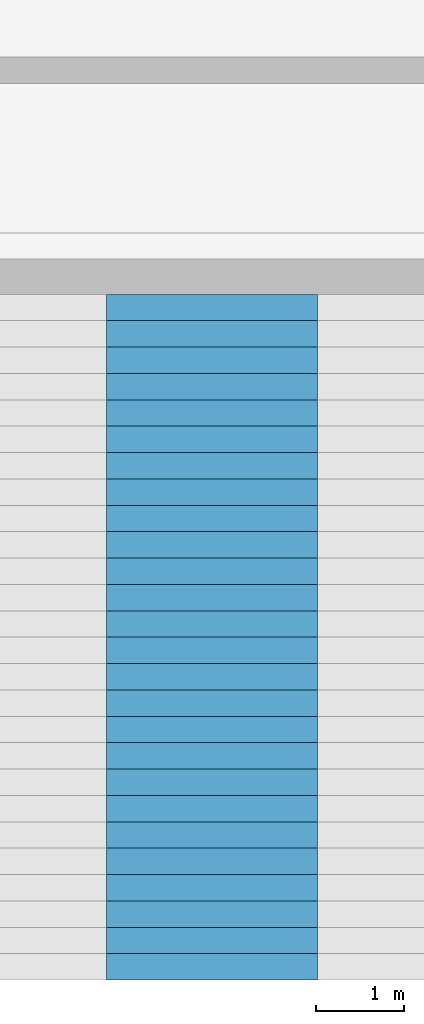
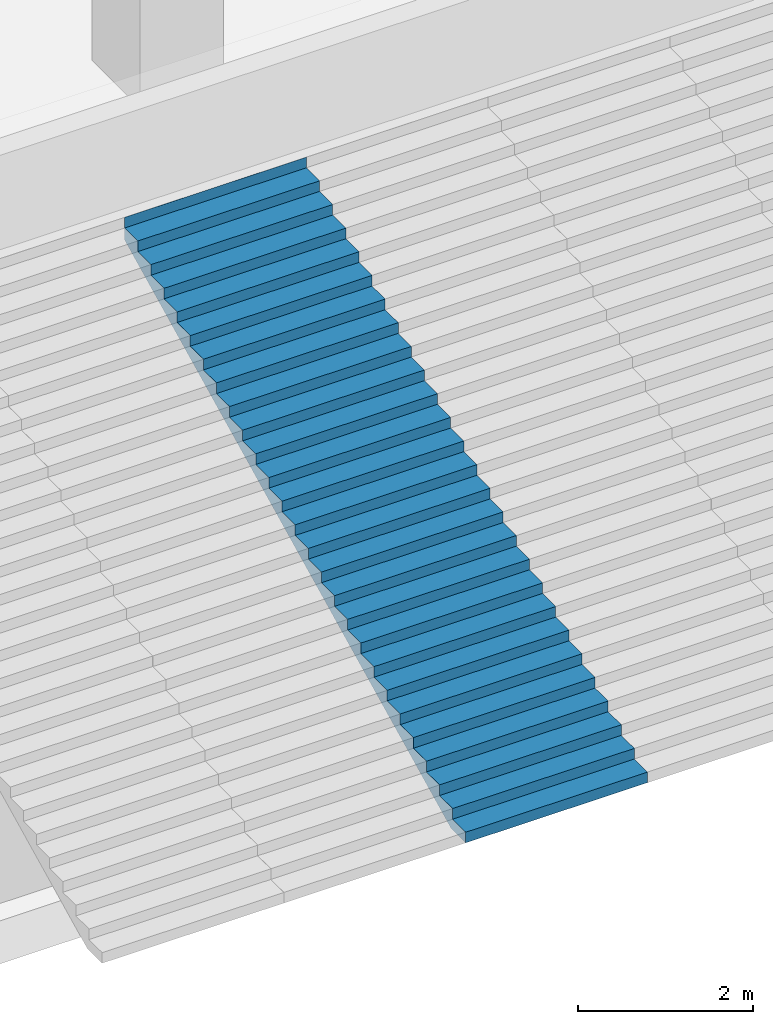
# One storey, part 25 of 45: 1 stair flight, 1 element without a shape of its own.
"""IFC4 building model written with IfcOpenShell, lengths in metres."""

from ifc_helpers import new_model, si_unit, direction, frame, origin, place, context, subcontext, project, spatial, triangles, material, type_object, element, aggregate, save


model = new_model("IFC4")

# Units and contexts
model_context = context("Model", 3, precision=1e-05, world=origin(), true_north=direction((0.0, 1.0)))
body_context = subcontext(model_context, "Body", "Model", "MODEL_VIEW")
ifc_project = project(units=[si_unit("LENGTHUNIT", "METRE"), si_unit("AREAUNIT", "SQUARE_METRE"), si_unit("VOLUMEUNIT", "CUBIC_METRE"), si_unit("PLANEANGLEUNIT", "RADIAN"), si_unit("MASSUNIT", "GRAM", prefix="KILO")], contexts=[model_context])

# Site, building, storey
site_placement = place(None, origin())
site = spatial("IfcSite", under=ifc_project, at=site_placement, CompositionType="ELEMENT")
building_placement = place(site_placement, origin())
building = spatial("IfcBuilding", under=site, at=building_placement, Name="Beryl Residences", CompositionType="ELEMENT")
storey_placement = place(building_placement, frame((0.0, 0.0, 5.0)))
storey = spatial("IfcBuildingStorey", under=building, at=storey_placement, Name="L01", CompositionType="ELEMENT", Elevation=5.0)

# Stair, stair flight
ifc_material_1 = material(Name="Precast concrete C40/50", Category="concrete")
stair_type = type_object("IfcStairType", Name="GS2 garden stair", PredefinedType="STRAIGHT_RUN_STAIR", material=ifc_material_1)
stair_placement = place(storey_placement, origin())
stair = element("IfcStair", 1, at=stair_placement, inside=storey, type_object=stair_type, Name="GS2 garden stair", PredefinedType="STRAIGHT_RUN_STAIR")
ifc_material_2 = material(Name="Precast concrete C40/50", Category="concrete")
stair_flight_type = type_object("IfcStairFlightType", Name="GF2 garden stair flight", PredefinedType="STRAIGHT", material=ifc_material_2)
stair_flight_placement = place(storey_placement, frame((-6.0, -42.199951171875, 0.0), z_axis=(0.0, 0.0, 1.0), x_axis=(0.0, 1.0, 0.0)))
stair_flight = element("IfcStairFlight", 2, at=stair_flight_placement, type_object=stair_flight_type, Name="GS2 flight 3", NumberOfRisers=27, NumberOfTreads=26, PredefinedType="STRAIGHT", RiserHeight=0.148148148, TreadLength=0.3, context=body_context, shape_type="Tessellation", body=[
    triangles([(0.0, -1.199951171875, 0.0), (0.0, -0.60009765625, 0.0), (0.0, 0.0, 0.0), (0.0, 0.60009765625, 0.0), (0.0, 1.199951171875, 0.0), (0.0, -1.199951171875, 0.148193359375), (0.0, -0.60009765625, 0.148193359375), (0.0, 0.0, 0.148193359375), (0.0, 0.60009765625, 0.148193359375), (0.0, 1.199951171875, 0.148193359375), (0.300048828125, -1.199951171875, 0.148193359375), (0.300048828125, -0.60009765625, 0.148193359375), (0.300048828125, 0.0, 0.148193359375), (0.300048828125, 0.60009765625, 0.148193359375), (0.300048828125, 1.199951171875, 0.148193359375), (0.300048828125, -1.199951171875, 0.29638671875), (0.300048828125, -0.60009765625, 0.29638671875), (0.300048828125, 0.0, 0.29638671875), (0.300048828125, 0.60009765625, 0.29638671875), (0.300048828125, 1.199951171875, 0.29638671875), (0.60009765625, -1.199951171875, 0.29638671875), (0.60009765625, -0.60009765625, 0.29638671875), (0.60009765625, 0.0, 0.29638671875), (0.60009765625, 0.60009765625, 0.29638671875), (0.60009765625, 1.199951171875, 0.29638671875), (0.60009765625, -1.199951171875, 0.4443359375), (0.60009765625, -0.60009765625, 0.4443359375), (0.60009765625, 0.0, 0.4443359375), (0.60009765625, 0.60009765625, 0.4443359375), (0.60009765625, 1.199951171875, 0.4443359375), (0.89990234375, -1.199951171875, 0.4443359375), (0.89990234375, -0.60009765625, 0.4443359375), (0.89990234375, 0.0, 0.4443359375), (0.89990234375, 0.60009765625, 0.4443359375), (0.89990234375, 1.199951171875, 0.4443359375), (0.89990234375, -1.199951171875, 0.592529296875), (0.89990234375, -0.60009765625, 0.592529296875), (0.89990234375, 0.0, 0.592529296875), (0.89990234375, 0.60009765625, 0.592529296875), (0.89990234375, 1.199951171875, 0.592529296875), (1.199951171875, -1.199951171875, 0.592529296875), (1.199951171875, -0.60009765625, 0.592529296875), (1.199951171875, 0.0, 0.592529296875), (1.199951171875, 0.60009765625, 0.592529296875), (1.199951171875, 1.199951171875, 0.592529296875), (1.199951171875, -1.199951171875, 0.74072265625), (1.199951171875, -0.60009765625, 0.74072265625), (1.199951171875, 0.0, 0.74072265625), (1.199951171875, 0.60009765625, 0.74072265625), (1.199951171875, 1.199951171875, 0.74072265625), (1.5, -1.199951171875, 0.74072265625), (1.5, -0.60009765625, 0.74072265625), (1.5, 0.0, 0.74072265625), (1.5, 0.60009765625, 0.74072265625), (1.5, 1.199951171875, 0.74072265625), (1.5, -1.199951171875, 0.888916015625), (1.5, -0.60009765625, 0.888916015625), (1.5, 0.0, 0.888916015625), (1.5, 0.60009765625, 0.888916015625), (1.5, 1.199951171875, 0.888916015625), (1.800048828125, -1.199951171875, 0.888916015625), (1.800048828125, -0.60009765625, 0.888916015625), (1.800048828125, 0.0, 0.888916015625), (1.800048828125, 0.60009765625, 0.888916015625), (1.800048828125, 1.199951171875, 0.888916015625), (1.800048828125, -1.199951171875, 1.037109375), (1.800048828125, -0.60009765625, 1.037109375), (1.800048828125, 0.0, 1.037109375), (1.800048828125, 0.60009765625, 1.037109375), (1.800048828125, 1.199951171875, 1.037109375), (2.10009765625, -1.199951171875, 1.037109375), (2.10009765625, -0.60009765625, 1.037109375), (2.10009765625, 0.0, 1.037109375), (2.10009765625, 0.60009765625, 1.037109375), (2.10009765625, 1.199951171875, 1.037109375), (2.10009765625, -1.199951171875, 1.185302734375), (2.10009765625, -0.60009765625, 1.185302734375), (2.10009765625, 0.0, 1.185302734375), (2.10009765625, 0.60009765625, 1.185302734375), (2.10009765625, 1.199951171875, 1.185302734375), (2.39990234375, -1.199951171875, 1.185302734375), (2.39990234375, -0.60009765625, 1.185302734375), (2.39990234375, 0.0, 1.185302734375), (2.39990234375, 0.60009765625, 1.185302734375), (2.39990234375, 1.199951171875, 1.185302734375), (2.39990234375, -1.199951171875, 1.333251953125), (2.39990234375, -0.60009765625, 1.333251953125), (2.39990234375, 0.0, 1.333251953125), (2.39990234375, 0.60009765625, 1.333251953125), (2.39990234375, 1.199951171875, 1.333251953125), (2.699951171875, -1.199951171875, 1.333251953125), (2.699951171875, -0.60009765625, 1.333251953125), (2.699951171875, 0.0, 1.333251953125), (2.699951171875, 0.60009765625, 1.333251953125), (2.699951171875, 1.199951171875, 1.333251953125), (2.699951171875, -1.199951171875, 1.4814453125), (2.699951171875, -0.60009765625, 1.4814453125), (2.699951171875, 0.0, 1.4814453125), (2.699951171875, 0.60009765625, 1.4814453125), (2.699951171875, 1.199951171875, 1.4814453125), (3.0, -1.199951171875, 1.4814453125), (3.0, -0.60009765625, 1.4814453125), (3.0, 0.0, 1.4814453125), (3.0, 0.60009765625, 1.4814453125), (3.0, 1.199951171875, 1.4814453125), (3.0, -1.199951171875, 1.629638671875), (3.0, -0.60009765625, 1.629638671875), (3.0, 0.0, 1.629638671875), (3.0, 0.60009765625, 1.629638671875), (3.0, 1.199951171875, 1.629638671875), (3.300048828125, -1.199951171875, 1.629638671875), (3.300048828125, -0.60009765625, 1.629638671875), (3.300048828125, 0.0, 1.629638671875), (3.300048828125, 0.60009765625, 1.629638671875), (3.300048828125, 1.199951171875, 1.629638671875), (3.300048828125, -1.199951171875, 1.77783203125), (3.300048828125, -0.60009765625, 1.77783203125), (3.300048828125, 0.0, 1.77783203125), (3.300048828125, 0.60009765625, 1.77783203125), (3.300048828125, 1.199951171875, 1.77783203125), (3.60009765625, -1.199951171875, 1.77783203125), (3.60009765625, -0.60009765625, 1.77783203125), (3.60009765625, 0.0, 1.77783203125), (3.60009765625, 0.60009765625, 1.77783203125), (3.60009765625, 1.199951171875, 1.77783203125), (3.60009765625, -1.199951171875, 1.926025390625), (3.60009765625, -0.60009765625, 1.926025390625), (3.60009765625, 0.0, 1.926025390625), (3.60009765625, 0.60009765625, 1.926025390625), (3.60009765625, 1.199951171875, 1.926025390625), (3.89990234375, -1.199951171875, 1.926025390625), (3.89990234375, -0.60009765625, 1.926025390625), (3.89990234375, 0.0, 1.926025390625), (3.89990234375, 0.60009765625, 1.926025390625), (3.89990234375, 1.199951171875, 1.926025390625), (3.89990234375, -1.199951171875, 2.073974609375), (3.89990234375, -0.60009765625, 2.073974609375), (3.89990234375, 0.0, 2.073974609375), (3.89990234375, 0.60009765625, 2.073974609375), (3.89990234375, 1.199951171875, 2.073974609375), (4.199951171875, -1.199951171875, 2.073974609375), (4.199951171875, -0.60009765625, 2.073974609375), (4.199951171875, 0.0, 2.073974609375), (4.199951171875, 0.60009765625, 2.073974609375), (4.199951171875, 1.199951171875, 2.073974609375), (4.199951171875, -1.199951171875, 2.22216796875), (4.199951171875, -0.60009765625, 2.22216796875), (4.199951171875, 0.0, 2.22216796875), (4.199951171875, 0.60009765625, 2.22216796875), (4.199951171875, 1.199951171875, 2.22216796875), (4.5, -1.199951171875, 2.22216796875), (4.5, -0.60009765625, 2.22216796875), (4.5, 0.0, 2.22216796875), (4.5, 0.60009765625, 2.22216796875), (4.5, 1.199951171875, 2.22216796875), (4.5, -1.199951171875, 2.370361328125), (4.5, -0.60009765625, 2.370361328125), (4.5, 0.0, 2.370361328125), (4.5, 0.60009765625, 2.370361328125), (4.5, 1.199951171875, 2.370361328125), (4.800048828125, -1.199951171875, 2.370361328125), (4.800048828125, -0.60009765625, 2.370361328125), (4.800048828125, 0.0, 2.370361328125), (4.800048828125, 0.60009765625, 2.370361328125), (4.800048828125, 1.199951171875, 2.370361328125), (4.800048828125, -1.199951171875, 2.5185546875), (4.800048828125, -0.60009765625, 2.5185546875), (4.800048828125, 0.0, 2.5185546875), (4.800048828125, 0.60009765625, 2.5185546875), (4.800048828125, 1.199951171875, 2.5185546875), (5.10009765625, -1.199951171875, 2.5185546875), (5.10009765625, -0.60009765625, 2.5185546875), (5.10009765625, 0.0, 2.5185546875), (5.10009765625, 0.60009765625, 2.5185546875), (5.10009765625, 1.199951171875, 2.5185546875), (5.10009765625, -1.199951171875, 2.666748046875), (5.10009765625, -0.60009765625, 2.666748046875), (5.10009765625, 0.0, 2.666748046875), (5.10009765625, 0.60009765625, 2.666748046875), (5.10009765625, 1.199951171875, 2.666748046875), (5.39990234375, -1.199951171875, 2.666748046875), (5.39990234375, -0.60009765625, 2.666748046875), (5.39990234375, 0.0, 2.666748046875), (5.39990234375, 0.60009765625, 2.666748046875), (5.39990234375, 1.199951171875, 2.666748046875), (5.39990234375, -1.199951171875, 2.814697265625), (5.39990234375, -0.60009765625, 2.814697265625), (5.39990234375, 0.0, 2.814697265625), (5.39990234375, 0.60009765625, 2.814697265625), (5.39990234375, 1.199951171875, 2.814697265625), (5.699951171875, -1.199951171875, 2.814697265625), (5.699951171875, -0.60009765625, 2.814697265625), (5.699951171875, 0.0, 2.814697265625), (5.699951171875, 0.60009765625, 2.814697265625), (5.699951171875, 1.199951171875, 2.814697265625), (5.699951171875, -1.199951171875, 2.962890625), (5.699951171875, -0.60009765625, 2.962890625), (5.699951171875, 0.0, 2.962890625), (5.699951171875, 0.60009765625, 2.962890625), (5.699951171875, 1.199951171875, 2.962890625), (6.0, -1.199951171875, 2.962890625), (6.0, -0.60009765625, 2.962890625), (6.0, 0.0, 2.962890625), (6.0, 0.60009765625, 2.962890625), (6.0, 1.199951171875, 2.962890625), (6.0, -1.199951171875, 3.111083984375), (6.0, -0.60009765625, 3.111083984375), (6.0, 0.0, 3.111083984375), (6.0, 0.60009765625, 3.111083984375), (6.0, 1.199951171875, 3.111083984375), (6.300048828125, -1.199951171875, 3.111083984375), (6.300048828125, -0.60009765625, 3.111083984375), (6.300048828125, 0.0, 3.111083984375), (6.300048828125, 0.60009765625, 3.111083984375), (6.300048828125, 1.199951171875, 3.111083984375), (6.300048828125, -1.199951171875, 3.25927734375), (6.300048828125, -0.60009765625, 3.25927734375), (6.300048828125, 0.0, 3.25927734375), (6.300048828125, 0.60009765625, 3.25927734375), (6.300048828125, 1.199951171875, 3.25927734375), (6.60009765625, -1.199951171875, 3.25927734375), (6.60009765625, -0.60009765625, 3.25927734375), (6.60009765625, 0.0, 3.25927734375), (6.60009765625, 0.60009765625, 3.25927734375), (6.60009765625, 1.199951171875, 3.25927734375), (6.60009765625, -1.199951171875, 3.407470703125), (6.60009765625, -0.60009765625, 3.407470703125), (6.60009765625, 0.0, 3.407470703125), (6.60009765625, 0.60009765625, 3.407470703125), (6.60009765625, 1.199951171875, 3.407470703125), (6.89990234375, -1.199951171875, 3.407470703125), (6.89990234375, -0.60009765625, 3.407470703125), (6.89990234375, 0.0, 3.407470703125), (6.89990234375, 0.60009765625, 3.407470703125), (6.89990234375, 1.199951171875, 3.407470703125), (6.89990234375, -1.199951171875, 3.5556640625), (6.89990234375, -0.60009765625, 3.5556640625), (6.89990234375, 0.0, 3.5556640625), (6.89990234375, 0.60009765625, 3.5556640625), (6.89990234375, 1.199951171875, 3.5556640625), (7.199951171875, -1.199951171875, 3.5556640625), (7.199951171875, -0.60009765625, 3.5556640625), (7.199951171875, 0.0, 3.5556640625), (7.199951171875, 0.60009765625, 3.5556640625), (7.199951171875, 1.199951171875, 3.5556640625), (7.199951171875, -1.199951171875, 3.70361328125), (7.199951171875, -0.60009765625, 3.70361328125), (7.199951171875, 0.0, 3.70361328125), (7.199951171875, 0.60009765625, 3.70361328125), (7.199951171875, 1.199951171875, 3.70361328125), (7.5, -1.199951171875, 3.70361328125), (7.5, -0.60009765625, 3.70361328125), (7.5, 0.0, 3.70361328125), (7.5, 0.60009765625, 3.70361328125), (7.5, 1.199951171875, 3.70361328125), (7.5, -1.199951171875, 3.851806640625), (7.5, -0.60009765625, 3.851806640625), (7.5, 0.0, 3.851806640625), (7.5, 0.60009765625, 3.851806640625), (7.5, 1.199951171875, 3.851806640625), (7.800048828125, -1.199951171875, 3.851806640625), (7.800048828125, -0.60009765625, 3.851806640625), (7.800048828125, 0.0, 3.851806640625), (7.800048828125, 0.60009765625, 3.851806640625), (7.800048828125, 1.199951171875, 3.851806640625), (7.800048828125, -1.199951171875, 4.0), (7.800048828125, -0.60009765625, 4.0), (7.800048828125, 0.0, 4.0), (7.800048828125, 0.60009765625, 4.0), (7.800048828125, 1.199951171875, 4.0), (7.801025390625, -1.199951171875, 4.0), (7.801025390625, -0.60009765625, 4.0), (7.801025390625, 0.0, 4.0), (7.801025390625, 0.60009765625, 4.0), (7.801025390625, 1.199951171875, 4.0), (7.801025390625, -1.199951171875, 3.6845703125), (7.801025390625, -0.60009765625, 3.6845703125), (7.801025390625, 0.0, 3.6845703125), (7.801025390625, 0.60009765625, 3.6845703125), (7.801025390625, 1.199951171875, 3.6845703125), (0.339599609375, -1.199951171875, 0.0), (0.339599609375, -0.60009765625, 0.0), (0.339599609375, 0.0, 0.0), (0.339599609375, 0.60009765625, 0.0), (0.339599609375, 1.199951171875, 0.0)], [[1, 6, 7], [1, 7, 2], [2, 7, 8], [2, 8, 3], [3, 8, 9], [3, 9, 4], [4, 9, 10], [4, 10, 5], [6, 11, 12], [6, 12, 7], [7, 12, 13], [7, 13, 8], [8, 13, 14], [8, 14, 9], [9, 14, 15], [9, 15, 10], [11, 16, 17], [11, 17, 12], [12, 17, 18], [12, 18, 13], [13, 18, 19], [13, 19, 14], [14, 19, 20], [14, 20, 15], [16, 21, 22], [16, 22, 17], [17, 22, 23], [17, 23, 18], [18, 23, 24], [18, 24, 19], [19, 24, 25], [19, 25, 20], [21, 26, 27], [21, 27, 22], [22, 27, 28], [22, 28, 23], [23, 28, 29], [23, 29, 24], [24, 29, 30], [24, 30, 25], [26, 31, 32], [26, 32, 27], [27, 32, 33], [27, 33, 28], [28, 33, 34], [28, 34, 29], [29, 34, 35], [29, 35, 30], [31, 36, 37], [31, 37, 32], [32, 37, 38], [32, 38, 33], [33, 38, 39], [33, 39, 34], [34, 39, 40], [34, 40, 35], [36, 41, 42], [36, 42, 37], [37, 42, 43], [37, 43, 38], [38, 43, 44], [38, 44, 39], [39, 44, 45], [39, 45, 40], [41, 46, 47], [41, 47, 42], [42, 47, 48], [42, 48, 43], [43, 48, 49], [43, 49, 44], [44, 49, 50], [44, 50, 45], [46, 51, 52], [46, 52, 47], [47, 52, 53], [47, 53, 48], [48, 53, 54], [48, 54, 49], [49, 54, 55], [49, 55, 50], [51, 56, 57], [51, 57, 52], [52, 57, 58], [52, 58, 53], [53, 58, 59], [53, 59, 54], [54, 59, 60], [54, 60, 55], [56, 61, 62], [56, 62, 57], [57, 62, 63], [57, 63, 58], [58, 63, 64], [58, 64, 59], [59, 64, 65], [59, 65, 60], [61, 66, 67], [61, 67, 62], [62, 67, 68], [62, 68, 63], [63, 68, 69], [63, 69, 64], [64, 69, 70], [64, 70, 65], [66, 71, 72], [66, 72, 67], [67, 72, 73], [67, 73, 68], [68, 73, 74], [68, 74, 69], [69, 74, 75], [69, 75, 70], [71, 76, 77], [71, 77, 72], [72, 77, 78], [72, 78, 73], [73, 78, 79], [73, 79, 74], [74, 79, 80], [74, 80, 75], [76, 81, 82], [76, 82, 77], [77, 82, 83], [77, 83, 78], [78, 83, 84], [78, 84, 79], [79, 84, 85], [79, 85, 80], [81, 86, 87], [81, 87, 82], [82, 87, 88], [82, 88, 83], [83, 88, 89], [83, 89, 84], [84, 89, 90], [84, 90, 85], [86, 91, 92], [86, 92, 87], [87, 92, 93], [87, 93, 88], [88, 93, 94], [88, 94, 89], [89, 94, 95], [89, 95, 90], [91, 96, 97], [91, 97, 92], [92, 97, 98], [92, 98, 93], [93, 98, 99], [93, 99, 94], [94, 99, 100], [94, 100, 95], [96, 101, 102], [96, 102, 97], [97, 102, 103], [97, 103, 98], [98, 103, 104], [98, 104, 99], [99, 104, 105], [99, 105, 100], [101, 106, 107], [101, 107, 102], [102, 107, 108], [102, 108, 103], [103, 108, 109], [103, 109, 104], [104, 109, 110], [104, 110, 105], [106, 111, 112], [106, 112, 107], [107, 112, 113], [107, 113, 108], [108, 113, 114], [108, 114, 109], [109, 114, 115], [109, 115, 110], [111, 116, 117], [111, 117, 112], [112, 117, 118], [112, 118, 113], [113, 118, 119], [113, 119, 114], [114, 119, 120], [114, 120, 115], [116, 121, 122], [116, 122, 117], [117, 122, 123], [117, 123, 118], [118, 123, 124], [118, 124, 119], [119, 124, 125], [119, 125, 120], [121, 126, 127], [121, 127, 122], [122, 127, 128], [122, 128, 123], [123, 128, 129], [123, 129, 124], [124, 129, 130], [124, 130, 125], [126, 131, 132], [126, 132, 127], [127, 132, 133], [127, 133, 128], [128, 133, 134], [128, 134, 129], [129, 134, 135], [129, 135, 130], [131, 136, 137], [131, 137, 132], [132, 137, 138], [132, 138, 133], [133, 138, 139], [133, 139, 134], [134, 139, 140], [134, 140, 135], [136, 141, 142], [136, 142, 137], [137, 142, 143], [137, 143, 138], [138, 143, 144], [138, 144, 139], [139, 144, 145], [139, 145, 140], [141, 146, 147], [141, 147, 142], [142, 147, 148], [142, 148, 143], [143, 148, 149], [143, 149, 144], [144, 149, 150], [144, 150, 145], [146, 151, 152], [146, 152, 147], [147, 152, 153], [147, 153, 148], [148, 153, 154], [148, 154, 149], [149, 154, 155], [149, 155, 150], [151, 156, 157], [151, 157, 152], [152, 157, 158], [152, 158, 153], [153, 158, 159], [153, 159, 154], [154, 159, 160], [154, 160, 155], [156, 161, 162], [156, 162, 157], [157, 162, 163], [157, 163, 158], [158, 163, 164], [158, 164, 159], [159, 164, 165], [159, 165, 160], [161, 166, 167], [161, 167, 162], [162, 167, 168], [162, 168, 163], [163, 168, 169], [163, 169, 164], [164, 169, 170], [164, 170, 165], [166, 171, 172], [166, 172, 167], [167, 172, 173], [167, 173, 168], [168, 173, 174], [168, 174, 169], [169, 174, 175], [169, 175, 170], [171, 176, 177], [171, 177, 172], [172, 177, 178], [172, 178, 173], [173, 178, 179], [173, 179, 174], [174, 179, 180], [174, 180, 175], [176, 181, 182], [176, 182, 177], [177, 182, 183], [177, 183, 178], [178, 183, 184], [178, 184, 179], [179, 184, 185], [179, 185, 180], [181, 186, 187], [181, 187, 182], [182, 187, 188], [182, 188, 183], [183, 188, 189], [183, 189, 184], [184, 189, 190], [184, 190, 185], [186, 191, 192], [186, 192, 187], [187, 192, 193], [187, 193, 188], [188, 193, 194], [188, 194, 189], [189, 194, 195], [189, 195, 190], [191, 196, 197], [191, 197, 192], [192, 197, 198], [192, 198, 193], [193, 198, 199], [193, 199, 194], [194, 199, 200], [194, 200, 195], [196, 201, 202], [196, 202, 197], [197, 202, 203], [197, 203, 198], [198, 203, 204], [198, 204, 199], [199, 204, 205], [199, 205, 200], [201, 206, 207], [201, 207, 202], [202, 207, 208], [202, 208, 203], [203, 208, 209], [203, 209, 204], [204, 209, 210], [204, 210, 205], [206, 211, 212], [206, 212, 207], [207, 212, 213], [207, 213, 208], [208, 213, 214], [208, 214, 209], [209, 214, 215], [209, 215, 210], [211, 216, 217], [211, 217, 212], [212, 217, 218], [212, 218, 213], [213, 218, 219], [213, 219, 214], [214, 219, 220], [214, 220, 215], [216, 221, 222], [216, 222, 217], [217, 222, 223], [217, 223, 218], [218, 223, 224], [218, 224, 219], [219, 224, 225], [219, 225, 220], [221, 226, 227], [221, 227, 222], [222, 227, 228], [222, 228, 223], [223, 228, 229], [223, 229, 224], [224, 229, 230], [224, 230, 225], [226, 231, 232], [226, 232, 227], [227, 232, 233], [227, 233, 228], [228, 233, 234], [228, 234, 229], [229, 234, 235], [229, 235, 230], [231, 236, 237], [231, 237, 232], [232, 237, 238], [232, 238, 233], [233, 238, 239], [233, 239, 234], [234, 239, 240], [234, 240, 235], [236, 241, 242], [236, 242, 237], [237, 242, 243], [237, 243, 238], [238, 243, 244], [238, 244, 239], [239, 244, 245], [239, 245, 240], [241, 246, 247], [241, 247, 242], [242, 247, 248], [242, 248, 243], [243, 248, 249], [243, 249, 244], [244, 249, 250], [244, 250, 245], [246, 251, 252], [246, 252, 247], [247, 252, 253], [247, 253, 248], [248, 253, 254], [248, 254, 249], [249, 254, 255], [249, 255, 250], [251, 256, 257], [251, 257, 252], [252, 257, 258], [252, 258, 253], [253, 258, 259], [253, 259, 254], [254, 259, 260], [254, 260, 255], [256, 261, 262], [256, 262, 257], [257, 262, 263], [257, 263, 258], [258, 263, 264], [258, 264, 259], [259, 264, 265], [259, 265, 260], [261, 266, 267], [261, 267, 262], [262, 267, 268], [262, 268, 263], [263, 268, 269], [263, 269, 264], [264, 269, 270], [264, 270, 265], [266, 271, 272], [266, 272, 267], [267, 272, 273], [267, 273, 268], [268, 273, 274], [268, 274, 269], [269, 274, 275], [269, 275, 270], [271, 276, 277], [271, 277, 272], [272, 277, 278], [272, 278, 273], [273, 278, 279], [273, 279, 274], [274, 279, 280], [274, 280, 275], [276, 281, 282], [276, 282, 277], [277, 282, 283], [277, 283, 278], [278, 283, 284], [278, 284, 279], [279, 284, 285], [279, 285, 280], [281, 1, 2], [281, 2, 282], [282, 2, 3], [282, 3, 283], [283, 3, 4], [283, 4, 284], [284, 4, 5], [284, 5, 285], [1, 281, 276], [5, 280, 285], [276, 271, 266], [280, 270, 275], [276, 266, 261], [280, 265, 270], [276, 261, 256], [280, 260, 265], [276, 256, 251], [280, 255, 260], [276, 251, 246], [280, 250, 255], [276, 246, 241], [280, 245, 250], [241, 236, 231], [245, 235, 240], [276, 241, 231], [280, 235, 245], [231, 226, 221], [235, 225, 230], [276, 231, 221], [280, 225, 235], [221, 216, 211], [225, 215, 220], [276, 221, 211], [280, 215, 225], [211, 206, 201], [215, 205, 210], [276, 211, 201], [280, 205, 215], [201, 196, 191], [205, 195, 200], [276, 201, 191], [280, 195, 205], [191, 186, 181], [195, 185, 190], [276, 191, 181], [280, 185, 195], [181, 176, 171], [185, 175, 180], [276, 181, 171], [280, 175, 185], [171, 166, 161], [175, 165, 170], [276, 171, 161], [280, 165, 175], [161, 156, 151], [165, 155, 160], [276, 161, 151], [280, 155, 165], [151, 146, 141], [155, 145, 150], [276, 151, 141], [280, 145, 155], [141, 136, 131], [145, 135, 140], [276, 141, 131], [280, 135, 145], [131, 126, 121], [135, 125, 130], [276, 131, 121], [280, 125, 135], [121, 116, 111], [125, 115, 120], [276, 121, 111], [280, 115, 125], [111, 106, 101], [115, 105, 110], [276, 111, 101], [280, 105, 115], [101, 96, 91], [105, 95, 100], [276, 101, 91], [280, 95, 105], [91, 86, 81], [95, 85, 90], [276, 91, 81], [280, 85, 95], [81, 76, 71], [85, 75, 80], [276, 81, 71], [280, 75, 85], [71, 66, 61], [75, 65, 70], [276, 71, 61], [280, 65, 75], [61, 56, 51], [65, 55, 60], [276, 61, 51], [280, 55, 65], [51, 46, 41], [55, 45, 50], [276, 51, 41], [280, 45, 55], [41, 36, 31], [45, 35, 40], [276, 41, 31], [280, 35, 45], [1, 276, 31], [5, 35, 280], [31, 26, 21], [35, 25, 30], [21, 16, 11], [25, 15, 20], [31, 21, 11], [35, 15, 25], [1, 31, 11], [5, 15, 35], [11, 6, 1], [15, 5, 10]], closed=True),
])
aggregate(stair, [stair_flight])

save(model, "model.ifc")
